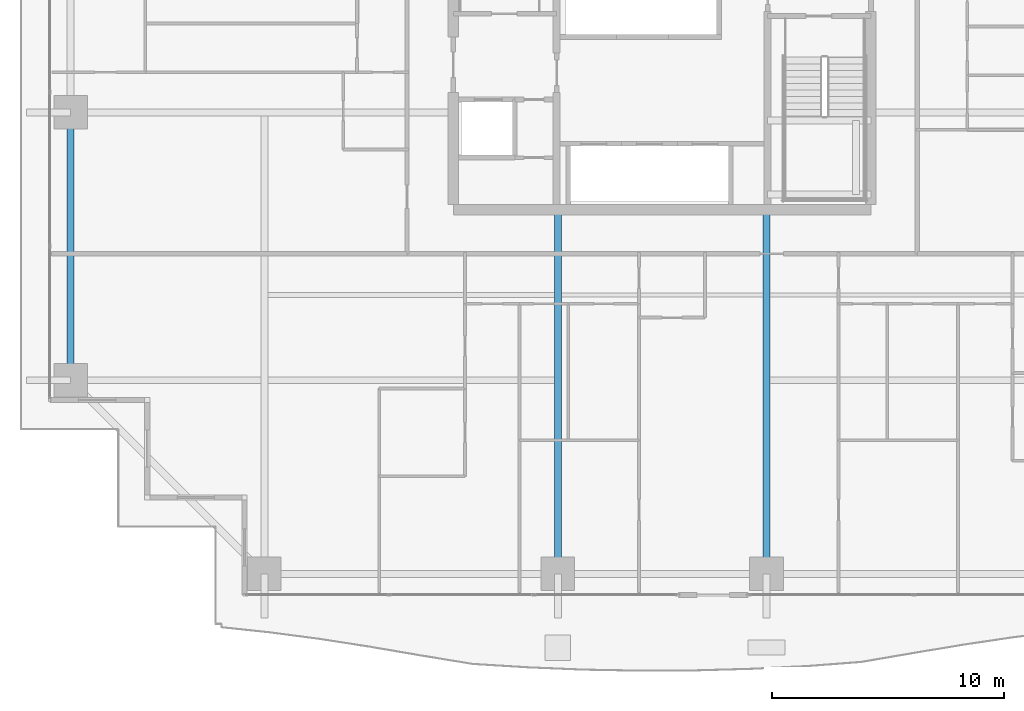
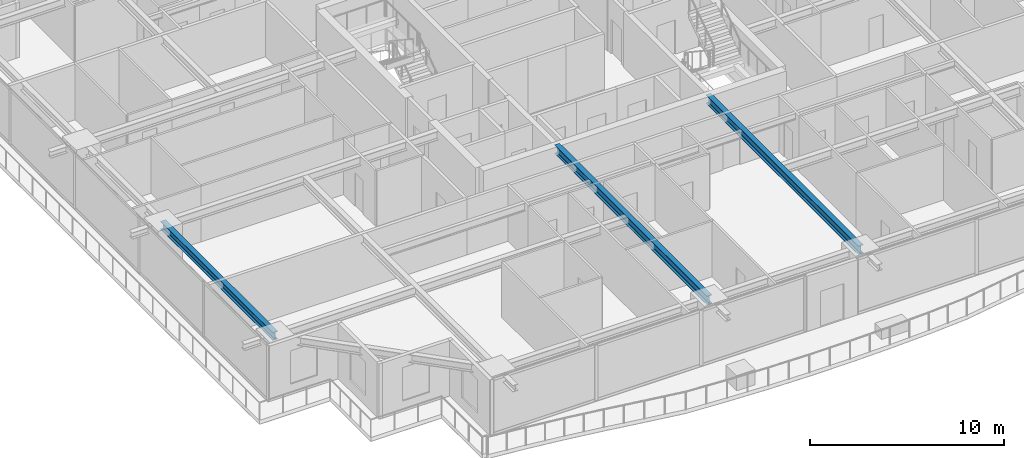
# One storey, part 6 of 39: 3 beams.
"""IFC4 building model written with IfcOpenShell, lengths in metres."""

from ifc_helpers import new_model, si_unit, direction, frame, origin, origin_2d, place, context, subcontext, project, spatial, i_section, extrude, source, transform, mapped, material, material_profile, profile_set, type_object, element, save


model = new_model("IFC4")

# Units and contexts
model_context = context("Model", 3, precision=1e-05, world=origin(), true_north=direction((0.0, 1.0)))
body_context = subcontext(model_context, "Body", "Model", "MODEL_VIEW")
ifc_project = project(units=[si_unit("LENGTHUNIT", "METRE"), si_unit("AREAUNIT", "SQUARE_METRE"), si_unit("VOLUMEUNIT", "CUBIC_METRE"), si_unit("PLANEANGLEUNIT", "RADIAN"), si_unit("MASSUNIT", "GRAM", prefix="KILO")], contexts=[model_context])

# Site, building, storey
site_placement = place(None, origin())
site = spatial("IfcSite", under=ifc_project, at=site_placement, CompositionType="ELEMENT")
building_placement = place(site_placement, origin())
building = spatial("IfcBuilding", under=site, at=building_placement, Name="Serunith Strait Residences", CompositionType="ELEMENT")
storey_placement = place(building_placement, frame((0.0, 0.0, 94.199951171875)))
storey = spatial("IfcBuildingStorey", under=building, at=storey_placement, Name="L23", CompositionType="ELEMENT", Elevation=94.199951171875)

# Beams
ifc_material = material(Name="Steel S355J2", Category="steel")
ifc_material_profile_1 = material_profile(ifc_material, i_section(OverallWidth=0.300048828125, OverallDepth=0.550048828125, WebThickness=0.014892578125, FlangeThickness=0.029052734375, FilletRadius=0.027099609375, at=origin_2d()), Name="HEB 550")
ifc_profile_set_1 = profile_set([ifc_material_profile_1], Name="Steel S355J2")
beam_type_1 = type_object("IfcBeamType", Name="BM-HEB550", PredefinedType="BEAM", material=ifc_profile_set_1)
shared_shape_1 = source(origin(), body_context, "Body", "SweptSolid", [
    extrude(i_section(OverallWidth=0.300048828125, OverallDepth=0.550048828125, WebThickness=0.014892578125, FlangeThickness=0.029052734375, FilletRadius=0.027099609375, at=origin_2d()), origin(), (0.0, 0.0, 1.0), 15.699951171875),
])
for number, where, z_axis, x_axis, name in (
    (1, (27.89990234375, 16.800048828125, 3.212158203125), (0.0, -1.0, 0.0), (1.0, 0.0, 0.0), "L23 Primary Floor Girder TC-S2"),
    (2, (36.89990234375, 16.800048828125, 3.212158203125), (0.0, -1.0, 0.0), (1.0, 0.0, 0.0), "L23 Primary Floor Girder TC-S3"),
):
    element("IfcBeam", number, at=place(storey_placement, frame(where, z_axis=z_axis, x_axis=x_axis)), inside=storey, type_object=beam_type_1, Name=name, PredefinedType="BEAM", context=body_context, shape_type="MappedRepresentation", body=[
        mapped(shared_shape_1, transform((0.0, 0.0, 0.0), scale=1.0)),
    ])
ifc_material_profile_2 = material_profile(ifc_material, i_section(OverallWidth=0.300048828125, OverallDepth=0.5, WebThickness=0.014404296875, FlangeThickness=0.028076171875, FilletRadius=0.027099609375, at=origin_2d()), Name="HEB 500")
ifc_profile_set_2 = profile_set([ifc_material_profile_2], Name="Steel S355J2")
beam_type_2 = type_object("IfcBeamType", Name="BM-HEB500", PredefinedType="BEAM", material=ifc_profile_set_2)
shared_shape_2 = source(origin(), body_context, "Body", "SweptSolid", [
    extrude(i_section(OverallWidth=0.300048828125, OverallDepth=0.5, WebThickness=0.014404296875, FlangeThickness=0.028076171875, FilletRadius=0.027099609375, at=origin_2d()), origin(), (0.0, 0.0, 1.0), 11.550048828125),
])
beam_placement = place(storey_placement, frame((6.89990234375, 21.0, 3.237060546875), z_axis=(0.0, -1.0, 0.0), x_axis=(1.0, 0.0, 0.0)))
element("IfcBeam", 3, at=beam_placement, inside=storey, type_object=beam_type_2, Name="L23 Perimeter Ring Beam 15", PredefinedType="BEAM", context=body_context, shape_type="MappedRepresentation", body=[
    mapped(shared_shape_2, transform((0.0, 0.0, 0.0), scale=1.0)),
])

save(model, "model.ifc")
